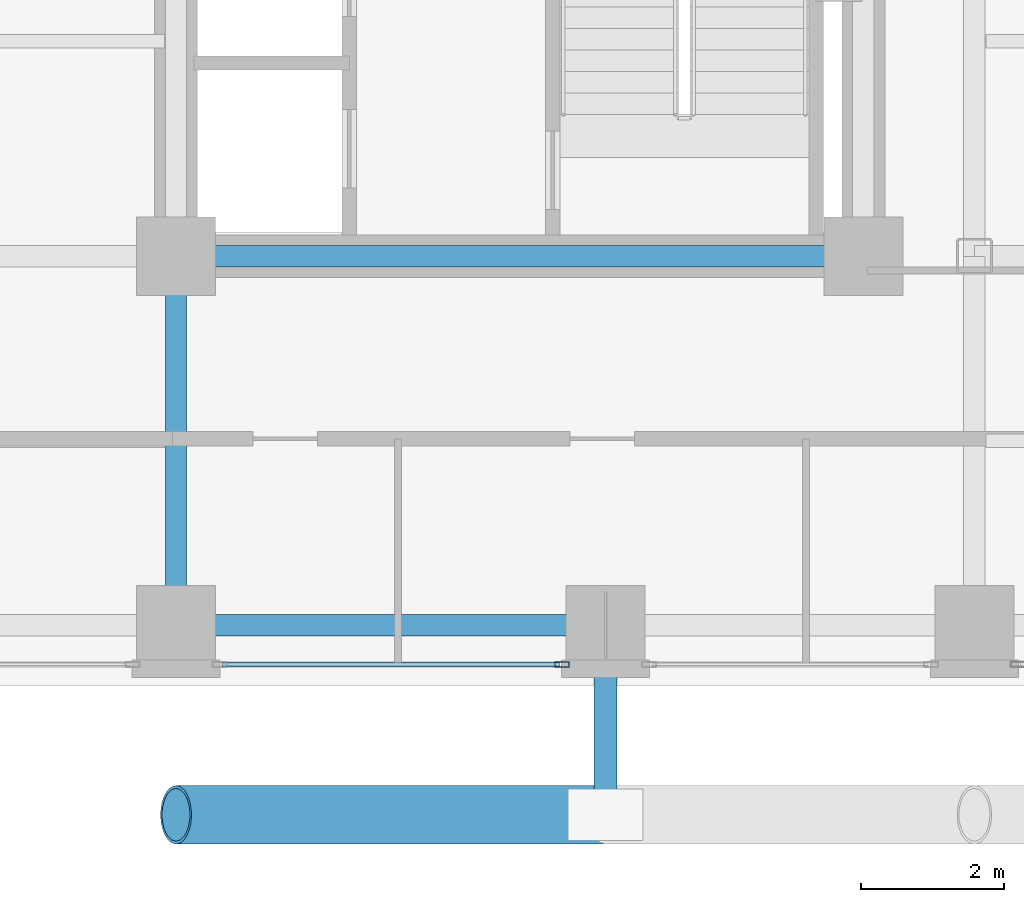
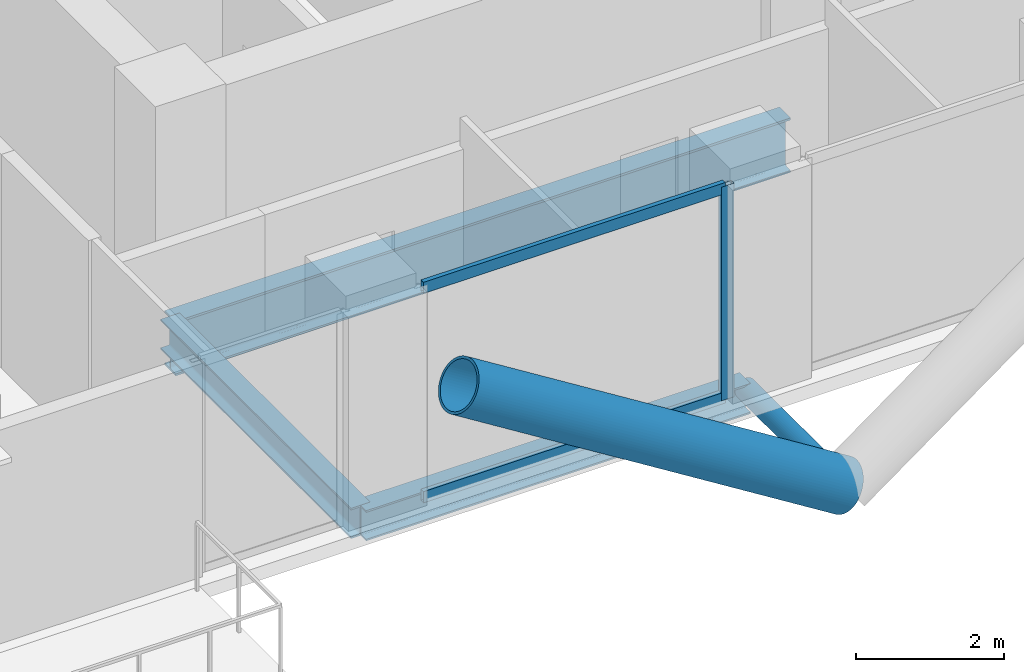
# One storey, part 4 of 24: 5 members, 3 beams, 1 element without a shape of its own.
"""IFC4 building model written with IfcOpenShell, lengths in metres."""

from ifc_helpers import new_model, si_unit, direction, frame, origin, origin_2d, place, context, subcontext, project, spatial, hollow_rectangle, hollow_circle, i_section, extrude, material, layer, layer_set, material_profile, profile_set, type_object, element, aggregate, save


model = new_model("IFC4")

# Units and contexts
model_context = context("Model", 3, precision=1e-05, world=origin(), true_north=direction((0.0, 1.0)))
body_context = subcontext(model_context, "Body", "Model", "MODEL_VIEW")
ifc_project = project(units=[si_unit("LENGTHUNIT", "METRE"), si_unit("AREAUNIT", "SQUARE_METRE"), si_unit("VOLUMEUNIT", "CUBIC_METRE"), si_unit("PLANEANGLEUNIT", "RADIAN"), si_unit("MASSUNIT", "GRAM", prefix="KILO"), si_unit("THERMODYNAMICTEMPERATUREUNIT", "KELVIN"), si_unit("POWERUNIT", "WATT")], contexts=[model_context])

# Site, building, storey
site_placement = place(None, origin())
site = spatial("IfcSite", under=ifc_project, at=site_placement, CompositionType="ELEMENT")
building_placement = place(site_placement, origin())
building = spatial("IfcBuilding", under=site, at=building_placement, Name="Svarakhadi Broadcast Tower", CompositionType="ELEMENT")
storey_placement = place(building_placement, frame((0.0, 0.0, 141.89990234375)))
storey = spatial("IfcBuildingStorey", under=building, at=storey_placement, Name="L34", CompositionType="ELEMENT", Elevation=141.89990234375)

# Curtain wall, members
ifc_material_1 = material(Name="Anodised Bronze Aluminium AA 6063-T6", Category="aluminium")
ifc_layer = layer(ifc_material_1, 0.199951171875)
ifc_layer_set = layer_set([ifc_layer], Name="Anodised Bronze Aluminium AA 6063-T6")
curtain_wall_type = type_object("IfcCurtainWallType", Name="CW_Sys_03", PredefinedType="NOTDEFINED", material=ifc_layer_set)
curtain_wall_placement = place(storey_placement, origin())
curtain_wall = element("IfcCurtainWall", 1, at=curtain_wall_placement, inside=storey, type_object=curtain_wall_type, Name="L34 South Curtain Wall 16 Bay 3", PredefinedType="NOTDEFINED")
ifc_material_profile_1 = material_profile(ifc_material_1, hollow_rectangle(XDim=0.074951171875, YDim=0.199951171875, WallThickness=0.005615234375, at=origin_2d()), Name="ALU MULLION 200x75x6")
ifc_profile_set_1 = profile_set([ifc_material_profile_1], Name="Anodised Bronze Aluminium AA 6063-T6")
member_type_1 = type_object("IfcMemberType", Name="CW_Sys_03_Mul", PredefinedType="MULLION", material=ifc_profile_set_1)
member_1_placement = place(storey_placement, frame((29.392578125, 0.300048828125, 0.0), z_axis=(0.0, 0.0, 1.0), x_axis=(0.0, -1.0, 0.0)))
member_1 = element("IfcMember", 2, at=member_1_placement, type_object=member_type_1, Name="CW-03 mullion 1", PredefinedType="MULLION", context=body_context, shape_type="SweptSolid", body=[
    extrude(hollow_rectangle(XDim=0.074951171875, YDim=0.199951171875, WallThickness=0.005615234375, at=origin_2d()), origin(), (0.0, 0.0, 1.0), 3.525146484375),
])
ifc_material_profile_2 = material_profile(ifc_material_1, hollow_rectangle(XDim=0.070068359375, YDim=0.18505859375, WallThickness=0.0048828125, at=origin_2d()), Name="ALU TRANSOM 185x70x5")
ifc_profile_set_2 = profile_set([ifc_material_profile_2], Name="Anodised Bronze Aluminium AA 6063-T6")
member_type_2 = type_object("IfcMemberType", Name="CW_Sys_03_Trn", PredefinedType="USERDEFINED", material=ifc_profile_set_2)
member_2_placement = place(storey_placement, frame((29.35498046875, 0.300048828125, 0.03515625), z_axis=(-1.0, 0.0, 0.0), x_axis=(0.0, -1.0, 0.0)))
member_2 = element("IfcMember", 3, at=member_2_placement, type_object=member_type_2, Name="CW-03 transom 1.1", ObjectType="TRANSOM", PredefinedType="USERDEFINED", context=body_context, shape_type="SweptSolid", body=[
    extrude(hollow_rectangle(XDim=0.070068359375, YDim=0.18505859375, WallThickness=0.0048828125, at=origin_2d()), origin(), (0.0, 0.0, 1.0), 4.7099609375),
])
member_3_placement = place(storey_placement, frame((29.35498046875, 0.300048828125, 3.489990234375), z_axis=(-1.0, 0.0, 0.0), x_axis=(0.0, -1.0, 0.0)))
member_3 = element("IfcMember", 4, at=member_3_placement, type_object=member_type_2, Name="CW-03 transom 1.2", ObjectType="TRANSOM", PredefinedType="USERDEFINED", context=body_context, shape_type="SweptSolid", body=[
    extrude(hollow_rectangle(XDim=0.070068359375, YDim=0.18505859375, WallThickness=0.0048828125, at=origin_2d()), origin(), (0.0, 0.0, 1.0), 4.7099609375),
])
aggregate(curtain_wall, [member_1, member_2, member_3])

# Members
ifc_material_2 = material(Name="Steel S460ML (IS 2062 E450BR)", Category="steel")
ifc_material_profile_3 = material_profile(ifc_material_2, hollow_circle(Radius=0.406494140625, WallThickness=0.0400390625, at=origin_2d()), Name="CHS 813x40")
ifc_profile_set_3 = profile_set([ifc_material_profile_3], Name="Steel S460ML (IS 2062 E450BR)")
member_type_3 = type_object("IfcMemberType", Name="Exo_Brace_CHS813", PredefinedType="BRACE", material=ifc_profile_set_3)
member_4_placement = place(storey_placement, frame((30.0, -1.800048828125, -0.386962890625), z_axis=(-0.847998304005, 0.0, 0.529998940003), x_axis=(0.0, -1.0, 0.0)))
element("IfcMember", 5, at=member_4_placement, inside=storey, type_object=member_type_3, Name="L34 Exposed Bronze Exoskeleton Diagonal S01", PredefinedType="BRACE", context=body_context, shape_type="SweptSolid", body=[
    extrude(hollow_circle(Radius=0.406494140625, WallThickness=0.0400390625, at=origin_2d()), origin(), (0.0, 0.0, 1.0), 7.075439453125),
])
ifc_material_profile_4 = material_profile(ifc_material_2, hollow_circle(Radius=0.161865234375, WallThickness=0.01611328125, at=origin_2d()), Name="CHS 323.9x16")
ifc_profile_set_4 = profile_set([ifc_material_profile_4], Name="Steel S460ML (IS 2062 E450BR)")
member_type_4 = type_object("IfcMemberType", Name="Exo_Radial_Strut_Z2", PredefinedType="STRUT", material=ifc_profile_set_4)
member_5_placement = place(storey_placement, frame((30.0, -1.800048828125, -0.386962890625), z_axis=(0.0, 1.0, 0.0), x_axis=(-1.0, 0.0, 0.0)))
element("IfcMember", 6, at=member_5_placement, inside=storey, type_object=member_type_4, Name="L34 Exoskeleton Radial Tie Strut S03", PredefinedType="STRUT", context=body_context, shape_type="SweptSolid", body=[
    extrude(hollow_circle(Radius=0.161865234375, WallThickness=0.01611328125, at=origin_2d()), origin(), (0.0, 0.0, 1.0), 2.650146484375),
])

# Beams
ifc_material_3 = material(Name="Steel S355J2 (IS 2062 E350C)", Category="steel")
ifc_material_profile_5 = material_profile(ifc_material_3, i_section(OverallWidth=0.300048828125, OverallDepth=0.5, WebThickness=0.014404296875, FlangeThickness=0.028076171875, FilletRadius=0.027099609375, at=origin_2d()), Name="WPB 500x300x187")
ifc_profile_set_5 = profile_set([ifc_material_profile_5], Name="Steel S355J2 (IS 2062 E350C)")
beam_type_1 = type_object("IfcBeamType", Name="Girder_WPB500", PredefinedType="USERDEFINED", material=ifc_profile_set_5)
beam_1_placement = place(storey_placement, frame((24.0, 0.85009765625, -0.474853515625), z_axis=(1.0, 0.0, 0.0), x_axis=(0.0, 1.0, 0.0)))
element("IfcBeam", 7, at=beam_1_placement, inside=storey, type_object=beam_type_1, Name="L34 Primary E-W Girder G007", ObjectType="GIRDER", PredefinedType="USERDEFINED", context=body_context, shape_type="SweptSolid", body=[
    extrude(i_section(OverallWidth=0.300048828125, OverallDepth=0.5, WebThickness=0.014404296875, FlangeThickness=0.028076171875, FilletRadius=0.027099609375, at=origin_2d()), origin(), (0.0, 0.0, 1.0), 6.0),
])
beam_2_placement = place(storey_placement, frame((24.0, 0.85009765625, -0.474853515625), z_axis=(0.0, 1.0, 0.0), x_axis=(-1.0, 0.0, 0.0)))
element("IfcBeam", 8, at=beam_2_placement, inside=storey, type_object=beam_type_1, Name="L34 Primary N-S Girder G062", ObjectType="GIRDER", PredefinedType="USERDEFINED", context=body_context, shape_type="SweptSolid", body=[
    extrude(i_section(OverallWidth=0.300048828125, OverallDepth=0.5, WebThickness=0.014404296875, FlangeThickness=0.028076171875, FilletRadius=0.027099609375, at=origin_2d()), origin(), (0.0, 0.0, 1.0), 5.14990234375),
])
ifc_material_profile_6 = material_profile(ifc_material_2, i_section(OverallWidth=0.300048828125, OverallDepth=0.89990234375, WebThickness=0.0185546875, FlangeThickness=0.034912109375, FilletRadius=0.030029296875, at=origin_2d()), Name="WPB 900x300x291")
ifc_profile_set_6 = profile_set([ifc_material_profile_6], Name="Steel S460ML (IS 2062 E450BR)")
beam_type_2 = type_object("IfcBeamType", Name="Girder_WPB900", PredefinedType="USERDEFINED", material=ifc_profile_set_6)
beam_3_placement = place(storey_placement, frame((24.0, 6.0, -0.6748046875), z_axis=(1.0, 0.0, 0.0), x_axis=(0.0, 1.0, 0.0)))
element("IfcBeam", 9, at=beam_3_placement, inside=storey, type_object=beam_type_2, Name="L34 Primary E-W Girder G014", ObjectType="GIRDER", PredefinedType="USERDEFINED", context=body_context, shape_type="SweptSolid", body=[
    extrude(i_section(OverallWidth=0.300048828125, OverallDepth=0.89990234375, WebThickness=0.0185546875, FlangeThickness=0.034912109375, FilletRadius=0.030029296875, at=origin_2d()), origin(), (0.0, 0.0, 1.0), 9.60009765625),
])

save(model, "model.ifc")
